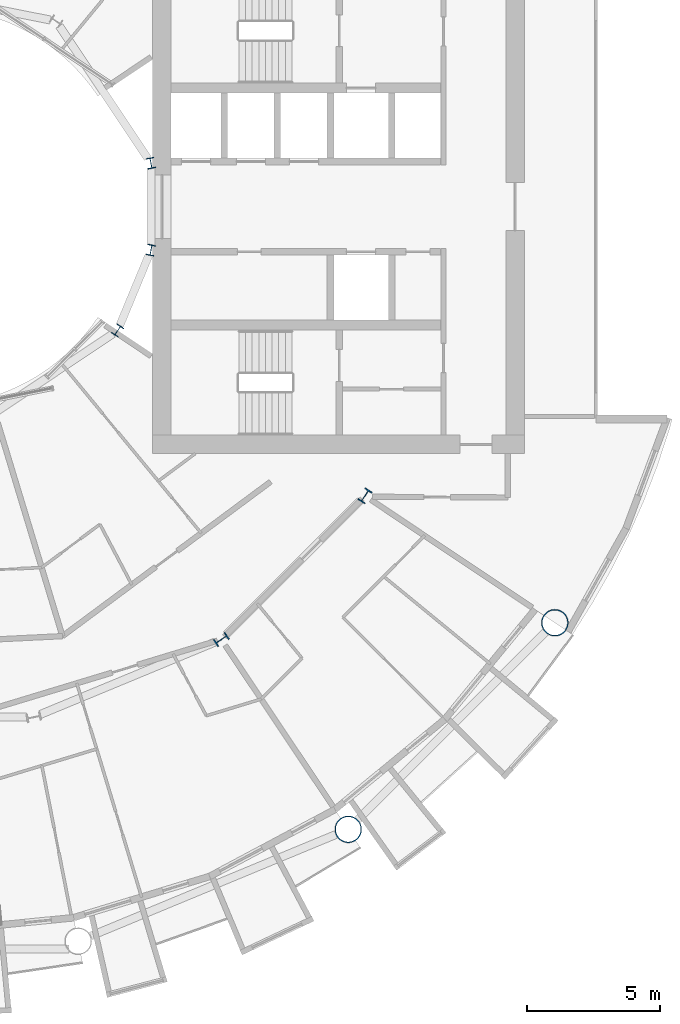
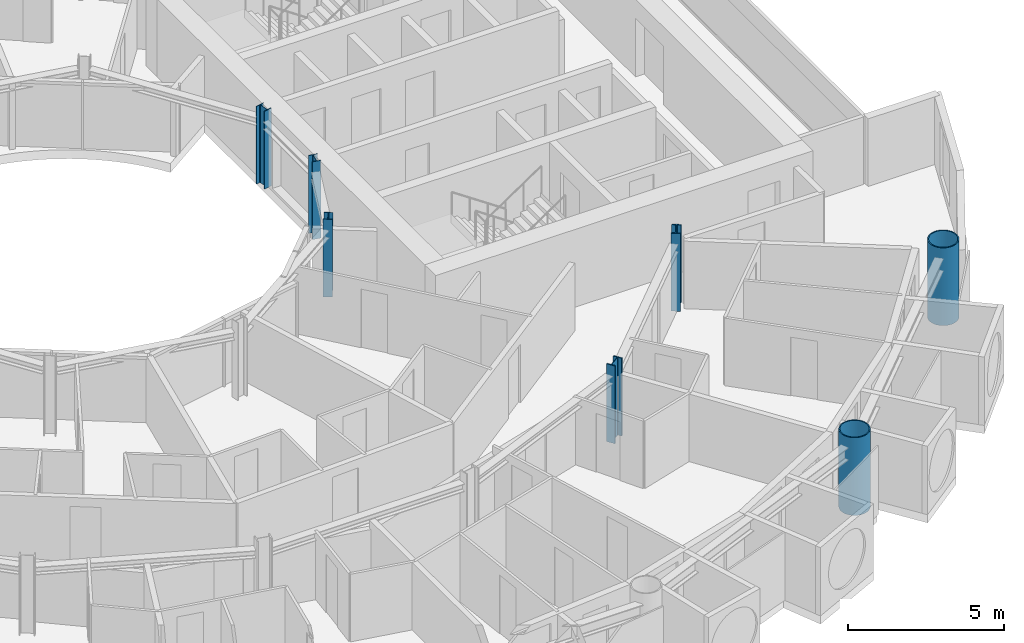
# One storey, part 2 of 25: 7 columns.
"""IFC4 building model written with IfcOpenShell, lengths in metres."""

from ifc_helpers import new_model, si_unit, direction, frame, origin, origin_2d, place, context, subcontext, project, spatial, hollow_circle, i_section, extrude, material, material_profile, profile_set, type_object, element, save


model = new_model("IFC4")

# Units and contexts
model_context = context("Model", 3, precision=1e-05, world=origin(), true_north=direction((0.0, 1.0)))
body_context = subcontext(model_context, "Body", "Model", "MODEL_VIEW")
ifc_project = project(units=[si_unit("LENGTHUNIT", "METRE"), si_unit("AREAUNIT", "SQUARE_METRE"), si_unit("VOLUMEUNIT", "CUBIC_METRE"), si_unit("PLANEANGLEUNIT", "RADIAN"), si_unit("MASSUNIT", "GRAM", prefix="KILO")], contexts=[model_context])

# Site, building, storey
site_placement = place(None, origin())
site = spatial("IfcSite", under=ifc_project, at=site_placement, CompositionType="ELEMENT")
building_placement = place(site_placement, origin())
building = spatial("IfcBuilding", under=site, at=building_placement, Name="Maasbend Ring Residences", CompositionType="ELEMENT")
storey_placement = place(building_placement, frame((0.0, 0.0, 94.10009765625)))
storey = spatial("IfcBuildingStorey", under=building, at=storey_placement, Name="L27", CompositionType="ELEMENT", Elevation=94.10009765625)

# Columns
ifc_material_1 = material(Name="Composite concrete-filled steel tube S460NH / C80/95", Category="concrete")
ifc_material_profile_1 = material_profile(ifc_material_1, hollow_circle(Radius=0.508056640625, WallThickness=0.0400390625, at=origin_2d()), Name="Composite tube column CHS 1016x40")
ifc_profile_set_1 = profile_set([ifc_material_profile_1], Name="Composite concrete-filled steel tube S460NH / C80/95")
column_type_1 = type_object("IfcColumnType", Name="Composite tube column CHS 1016x40", PredefinedType="COLUMN", material=ifc_profile_set_1)
for number, where, z_axis, x_axis, name in (
    (1, (15.6669921875, -23.447509765625, 0.0), (0.0, 0.0, 1.0), (1.0, 0.0, 0.0), "Outer column R14"),
    (2, (23.447509765625, -15.6669921875, 0.0), (0.0, 0.0, 1.0), (1.0, 0.0, 0.0), "Outer column R15"),
):
    element("IfcColumn", number, at=place(storey_placement, frame(where, z_axis=z_axis, x_axis=x_axis)), inside=storey, type_object=column_type_1, Name=name, PredefinedType="COLUMN", context=body_context, shape_type="SweptSolid", body=[
        extrude(hollow_circle(Radius=0.508056640625, WallThickness=0.0400390625, at=origin_2d()), origin(), (0.0, 0.0, 1.0), 3.0498046875),
    ])
ifc_material_2 = material(Name="Steel S355J2", Category="steel")
ifc_material_profile_2 = material_profile(ifc_material_2, i_section(OverallWidth=0.300048828125, OverallDepth=0.39990234375, WebThickness=0.013427734375, FlangeThickness=0.02392578125, FilletRadius=0.027099609375, at=origin_2d()), Name="HEB 400")
ifc_profile_set_2 = profile_set([ifc_material_profile_2], Name="Steel S355J2")
column_type_2 = type_object("IfcColumnType", Name="Steel column HEB 400", PredefinedType="COLUMN", material=ifc_profile_set_2)
for number, where, z_axis, x_axis, name in (
    (3, (8.238525390625, 1.638916015625, 0.0), (0.0, 0.0, 1.0), (0.980785280403, 0.195090322016, 0.0), "Well ring column R1"),
    (4, (6.984375, -4.666748046875, 0.0), (0.0, 0.0, 1.0), (0.831469612303, -0.55557023302, 0.0), "Well ring column R15"),
    (5, (8.238525390625, -1.638916015625, 0.0), (0.0, 0.0, 1.0), (0.980785280403, -0.195090322016, 0.0), "Well ring column R16"),
):
    element("IfcColumn", number, at=place(storey_placement, frame(where, z_axis=z_axis, x_axis=x_axis)), inside=storey, type_object=column_type_2, Name=name, PredefinedType="COLUMN", context=body_context, shape_type="SweptSolid", body=[
        extrude(i_section(OverallWidth=0.300048828125, OverallDepth=0.39990234375, WebThickness=0.013427734375, FlangeThickness=0.02392578125, FilletRadius=0.027099609375, at=origin_2d()), origin(), (0.0, 0.0, 1.0), 3.0498046875),
    ])
ifc_material_3 = material(Name="Steel S460M", Category="steel")
ifc_material_profile_3 = material_profile(ifc_material_3, i_section(OverallWidth=0.305908203125, OverallDepth=0.52392578125, WebThickness=0.02099609375, FlangeThickness=0.0400390625, FilletRadius=0.027099609375, at=origin_2d()), Name="HEM 500")
ifc_profile_set_3 = profile_set([ifc_material_profile_3], Name="Steel S460M")
column_type_3 = type_object("IfcColumnType", Name="Steel column HEM 500", PredefinedType="COLUMN", material=ifc_profile_set_3)
for number, where, z_axis, x_axis, name in (
    (6, (10.88916015625, -16.296875, 0.0), (0.0, 0.0, 1.0), (0.55557023302, -0.831469612303, 0.0), "Corridor ring column R14"),
    (7, (16.296875, -10.88916015625, 0.0), (0.0, 0.0, 1.0), (0.831469612303, -0.55557023302, 0.0), "Corridor ring column R15"),
):
    element("IfcColumn", number, at=place(storey_placement, frame(where, z_axis=z_axis, x_axis=x_axis)), inside=storey, type_object=column_type_3, Name=name, PredefinedType="COLUMN", context=body_context, shape_type="SweptSolid", body=[
        extrude(i_section(OverallWidth=0.305908203125, OverallDepth=0.52392578125, WebThickness=0.02099609375, FlangeThickness=0.0400390625, FilletRadius=0.027099609375, at=origin_2d()), origin(), (0.0, 0.0, 1.0), 3.0498046875),
    ])

save(model, "model.ifc")
